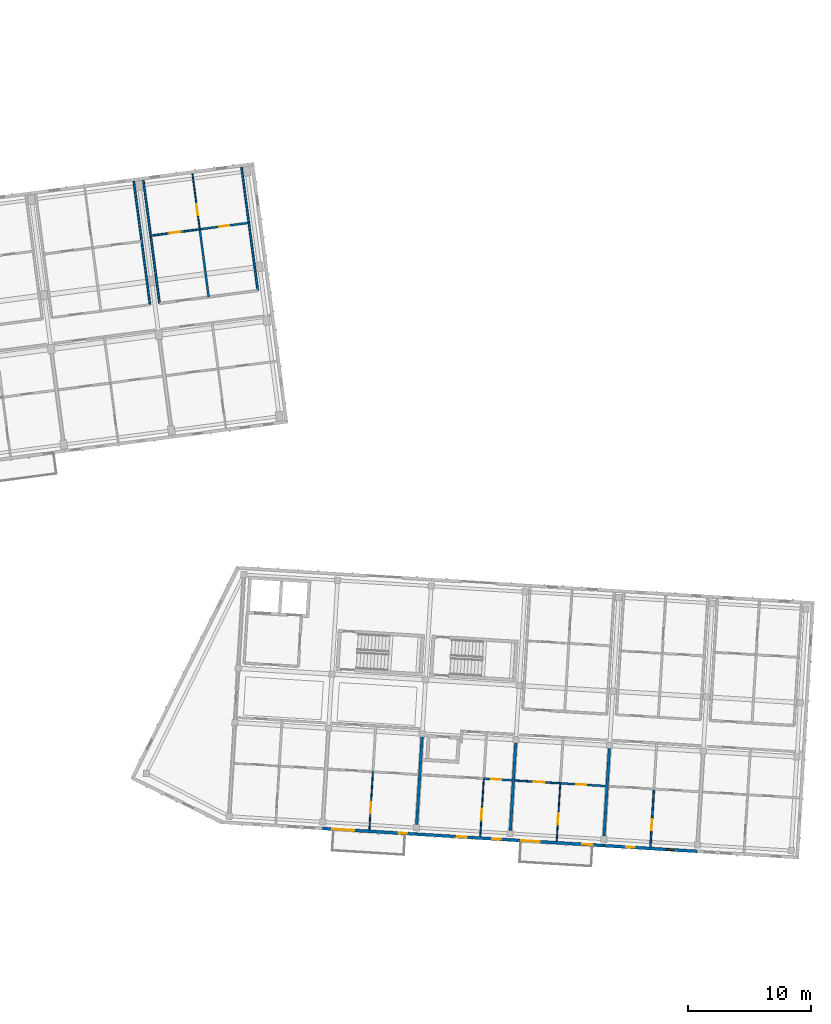
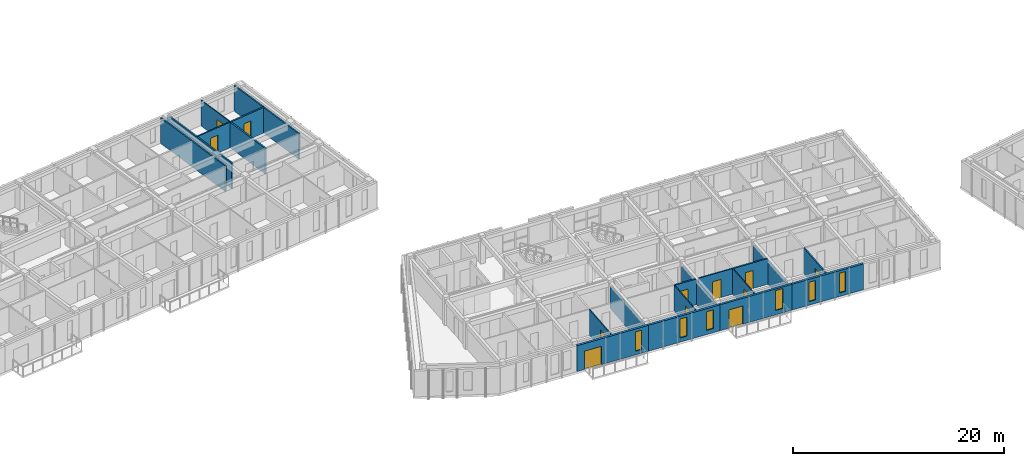
# One storey, part 25 of 68: 21 walls, 12 doors, 6 windows, 18 openings.
"""IFC4 building model written with IfcOpenShell, lengths in metres."""

from ifc_helpers import new_model, si_unit, direction, frame, frame_2d, origin, place, context, subcontext, project, spatial, rectangle, extrude, material, layer, layer_set, type_object, element, fill, save


model = new_model("IFC4")

# Units and contexts
model_context = context("Model", 3, precision=1e-05, world=origin(), true_north=direction((0.0, 1.0)))
body_context = subcontext(model_context, "Body", "Model", "MODEL_VIEW")
ifc_project = project(units=[si_unit("LENGTHUNIT", "METRE"), si_unit("AREAUNIT", "SQUARE_METRE"), si_unit("VOLUMEUNIT", "CUBIC_METRE"), si_unit("PLANEANGLEUNIT", "RADIAN"), si_unit("MASSUNIT", "GRAM", prefix="KILO")], contexts=[model_context])

# Site, building, storey
site_placement = place(None, origin())
site = spatial("IfcSite", under=ifc_project, at=site_placement, CompositionType="ELEMENT")
building_placement = place(site_placement, origin())
building = spatial("IfcBuilding", under=site, at=building_placement, Name="Kestramere Prow Commons", CompositionType="ELEMENT")
storey_placement = place(building_placement, frame((0.0, 0.0, 18.14990234375)))
storey = spatial("IfcBuildingStorey", under=building, at=storey_placement, Name="L05", CompositionType="ELEMENT", Elevation=18.14990234375)

# Wall, openings, door, window
ifc_material_1 = material(Name="Fluoropolymer Standing-Seam Zinc-Aluminium Cladding", Category="aluminium")
ifc_layer_1 = layer(ifc_material_1, 0.239990234375)
ifc_layer_set_1 = layer_set([ifc_layer_1], Name="Fluoropolymer Standing-Seam Zinc-Aluminium Cladding")
wall_type_1 = type_object("IfcWallType", Name="EW-SEAM-240", PredefinedType="SOLIDWALL", material=ifc_layer_set_1)
wall_1_placement = place(storey_placement, frame((74.6396484375, 45.048095703125, 0.0), z_axis=(0.0, 0.0, 1.0), x_axis=(-0.998135669243, 0.061034300063, 0.0)))
wall_1 = element("IfcWall", 1, at=wall_1_placement, inside=storey, type_object=wall_type_1, Name="Block C L05 South Standing-Seam Wall 2", PredefinedType="SOLIDWALL", context=body_context, shape_type="SweptSolid", body=[
    extrude(rectangle(XDim=7.60009765625, YDim=0.239990234375, at=frame_2d((3.800048828125, 0.0))), origin(), (0.0, 0.0, 1.0), 3.0),
])
opening_1_placement = place(wall_1_placement, frame((5.01904296875, 0.0, 0.0)))
opening_1 = element("IfcOpeningElement", 2, at=opening_1_placement, cuts=wall_1, Name="Opening GD-BAL-02", PredefinedType="OPENING", context=body_context, shape_type="SweptSolid", body=[
    extrude(rectangle(XDim=1.800048828125, YDim=2.1201171875, at=frame_2d((0.89990234375, 1.06005859375))), frame((0.0, 0.135009765625, 0.0), z_axis=(0.0, -1.0, 0.0), x_axis=(1.0, 0.0, 0.0)), (0.0, 0.0, 1.0), 0.27001953125),
])
opening_2_placement = place(wall_1_placement, frame((0.72998046875, 0.0, 0.419921875)))
opening_2 = element("IfcOpeningElement", 3, at=opening_2_placement, cuts=wall_1, Name="Opening WN-06", PredefinedType="OPENING", context=body_context, shape_type="SweptSolid", body=[
    extrude(rectangle(XDim=0.679931640625, YDim=2.239990234375, at=frame_2d((0.33984375, 1.1201171875))), frame((0.0, 0.135009765625, 0.0), z_axis=(0.0, -1.0, 0.0), x_axis=(1.0, 0.0, 0.0)), (0.0, 0.0, 1.0), 0.27001953125),
])
ifc_material_2 = material(Name="Thermally-Broken Anodised Aluminium Glazed", Category="aluminium")
door_type_1 = type_object("IfcDoorType", Name="GD-BAL-1800", OperationType="SLIDING_TO_LEFT", PredefinedType="DOOR", material=ifc_material_2)
door_1_placement = place(opening_1_placement, origin())
door_1 = element("IfcDoor", 4, at=door_1_placement, inside=storey, type_object=door_type_1, Name="Block C L05 Balcony Door 2", OperationType="SLIDING_TO_LEFT", OverallHeight=2.1201171875, OverallWidth=1.800048828125, PredefinedType="DOOR", context=body_context, shape_type="SweptSolid", body=[
    extrude(rectangle(XDim=1.800048828125, YDim=2.1201171875, at=frame_2d((0.89990234375, 1.06005859375))), frame((0.0, 0.02490234375, 0.0), z_axis=(0.0, -1.0, 0.0), x_axis=(1.0, 0.0, 0.0)), (0.0, 0.0, 1.0), 0.050048828125),
])
fill(opening_1, door_1)
ifc_material_3 = material(Name="Low-E Laminated Double Glazing", Category="glass")
window_type_1 = type_object("IfcWindowType", Name="WN-NAR-680A", PartitioningType="SINGLE_PANEL", PredefinedType="WINDOW", material=ifc_material_3)
window_1_placement = place(opening_2_placement, origin())
window_1 = element("IfcWindow", 5, at=window_1_placement, inside=storey, type_object=window_type_1, Name="WN-C-L05-SR-1", OverallHeight=2.239990234375, OverallWidth=0.679931640625, PartitioningType="SINGLE_PANEL", PredefinedType="WINDOW", context=body_context, shape_type="SweptSolid", body=[
    extrude(rectangle(XDim=0.679931640625, YDim=2.239990234375, at=frame_2d((0.33984375, 1.1201171875))), frame((0.0, 0.030029296875, 0.0), z_axis=(0.0, -1.0, 0.0), x_axis=(1.0, 0.0, 0.0)), (0.0, 0.0, 1.0), 0.06005859375),
])
fill(opening_2, window_1)

# Wall, openings, windows
wall_2_placement = place(storey_placement, frame((82.225341796875, 44.583984375, 0.0), z_axis=(0.0, 0.0, 1.0), x_axis=(-0.998133591969, 0.061068261669, 0.0)))
wall_2 = element("IfcWall", 6, at=wall_2_placement, inside=storey, type_object=wall_type_1, Name="Block C L05 South Standing-Seam Wall 3", PredefinedType="SOLIDWALL", context=body_context, shape_type="SweptSolid", body=[
    extrude(rectangle(XDim=7.599853515625, YDim=0.239990234375, at=frame_2d((3.7998046875, 0.0))), origin(), (0.0, 0.0, 1.0), 3.0),
])
opening_3_placement = place(wall_2_placement, frame((0.709716796875, 0.0, 0.47998046875)))
opening_3 = element("IfcOpeningElement", 7, at=opening_3_placement, cuts=wall_2, Name="Opening WN-08", PredefinedType="OPENING", context=body_context, shape_type="SweptSolid", body=[
    extrude(rectangle(XDim=0.719970703125, YDim=2.159912109375, at=frame_2d((0.35986328125, 1.080078125))), frame((0.0, 0.135009765625, 0.0), z_axis=(0.0, -1.0, 0.0), x_axis=(1.0, 0.0, 0.0)), (0.0, 0.0, 1.0), 0.27001953125),
])
opening_4_placement = place(wall_2_placement, frame((3.503662109375, 0.0, 0.47998046875)))
opening_4 = element("IfcOpeningElement", 8, at=opening_4_placement, cuts=wall_2, Name="Opening WN-11", PredefinedType="OPENING", context=body_context, shape_type="SweptSolid", body=[
    extrude(rectangle(XDim=0.780029296875, YDim=2.199951171875, at=frame_2d((0.39013671875, 1.10009765625))), frame((0.0, 0.135009765625, 0.0), z_axis=(0.0, -1.0, 0.0), x_axis=(1.0, 0.0, 0.0)), (0.0, 0.0, 1.0), 0.27001953125),
])
window_type_2 = type_object("IfcWindowType", Name="WN-NAR-720A", PartitioningType="SINGLE_PANEL", PredefinedType="WINDOW", material=ifc_material_3)
window_2_placement = place(opening_3_placement, origin())
window_2 = element("IfcWindow", 9, at=window_2_placement, inside=storey, type_object=window_type_2, Name="WN-C-L05-S-2-00", OverallHeight=2.159912109375, OverallWidth=0.719970703125, PartitioningType="SINGLE_PANEL", PredefinedType="WINDOW", context=body_context, shape_type="SweptSolid", body=[
    extrude(rectangle(XDim=0.719970703125, YDim=2.159912109375, at=frame_2d((0.35986328125, 1.080078125))), frame((0.0, 0.030029296875, 0.0), z_axis=(0.0, -1.0, 0.0), x_axis=(1.0, 0.0, 0.0)), (0.0, 0.0, 1.0), 0.06005859375),
])
fill(opening_3, window_2)
window_type_3 = type_object("IfcWindowType", Name="WN-NAR-780A", PartitioningType="SINGLE_PANEL", PredefinedType="WINDOW", material=ifc_material_3)
window_3_placement = place(opening_4_placement, origin())
window_3 = element("IfcWindow", 10, at=window_3_placement, inside=storey, type_object=window_type_3, Name="WN-C-L05-S-2-10", OverallHeight=2.199951171875, OverallWidth=0.780029296875, PartitioningType="SINGLE_PANEL", PredefinedType="WINDOW", context=body_context, shape_type="SweptSolid", body=[
    extrude(rectangle(XDim=0.780029296875, YDim=2.199951171875, at=frame_2d((0.39013671875, 1.10009765625))), frame((0.0, 0.030029296875, 0.0), z_axis=(0.0, -1.0, 0.0), x_axis=(1.0, 0.0, 0.0)), (0.0, 0.0, 1.0), 0.06005859375),
])
fill(opening_4, window_3)

# Wall, openings, door, window
wall_3_placement = place(storey_placement, frame((89.811279296875, 44.1201171875, 0.0), z_axis=(0.0, 0.0, 1.0), x_axis=(-0.998135669243, 0.061034300063, 0.0)))
wall_3 = element("IfcWall", 11, at=wall_3_placement, inside=storey, type_object=wall_type_1, Name="Block C L05 South Standing-Seam Wall 4", PredefinedType="SOLIDWALL", context=body_context, shape_type="SweptSolid", body=[
    extrude(rectangle(XDim=7.60009765625, YDim=0.239990234375, at=frame_2d((3.800048828125, 0.0))), origin(), (0.0, 0.0, 1.0), 3.0),
])
opening_5_placement = place(wall_3_placement, frame((5.1689453125, 0.0, 0.0)))
opening_5 = element("IfcOpeningElement", 12, at=opening_5_placement, cuts=wall_3, Name="Opening GD-BAL-01", PredefinedType="OPENING", context=body_context, shape_type="SweptSolid", body=[
    extrude(rectangle(XDim=1.5, YDim=2.1201171875, at=frame_2d((0.75, 1.06005859375))), frame((0.0, 0.135009765625, 0.0), z_axis=(0.0, -1.0, 0.0), x_axis=(1.0, 0.0, 0.0)), (0.0, 0.0, 1.0), 0.27001953125),
])
opening_6_placement = place(wall_3_placement, frame((0.929931640625, 0.0, 0.5)))
opening_6 = element("IfcOpeningElement", 13, at=opening_6_placement, cuts=wall_3, Name="Opening WN-12", PredefinedType="OPENING", context=body_context, shape_type="SweptSolid", body=[
    extrude(rectangle(XDim=0.800048828125, YDim=2.300048828125, at=frame_2d((0.39990234375, 1.14990234375))), frame((0.0, 0.135009765625, 0.0), z_axis=(0.0, -1.0, 0.0), x_axis=(1.0, 0.0, 0.0)), (0.0, 0.0, 1.0), 0.27001953125),
])
door_type_2 = type_object("IfcDoorType", Name="GD-BAL-1500", OperationType="SLIDING_TO_RIGHT", PredefinedType="DOOR", material=ifc_material_2)
door_2_placement = place(opening_5_placement, origin())
door_2 = element("IfcDoor", 14, at=door_2_placement, inside=storey, type_object=door_type_2, Name="Block C L05 Balcony Door 4", OperationType="SLIDING_TO_RIGHT", OverallHeight=2.1201171875, OverallWidth=1.5, PredefinedType="DOOR", context=body_context, shape_type="SweptSolid", body=[
    extrude(rectangle(XDim=1.5, YDim=2.1201171875, at=frame_2d((0.75, 1.06005859375))), frame((0.0, 0.02490234375, 0.0), z_axis=(0.0, -1.0, 0.0), x_axis=(1.0, 0.0, 0.0)), (0.0, 0.0, 1.0), 0.050048828125),
])
fill(opening_5, door_2)
window_type_4 = type_object("IfcWindowType", Name="WN-NAR-800A", PartitioningType="SINGLE_PANEL", PredefinedType="WINDOW", material=ifc_material_3)
window_4_placement = place(opening_6_placement, origin())
window_4 = element("IfcWindow", 15, at=window_4_placement, inside=storey, type_object=window_type_4, Name="WN-C-L05-SR-3", OverallHeight=2.300048828125, OverallWidth=0.800048828125, PartitioningType="SINGLE_PANEL", PredefinedType="WINDOW", context=body_context, shape_type="SweptSolid", body=[
    extrude(rectangle(XDim=0.800048828125, YDim=2.300048828125, at=frame_2d((0.39990234375, 1.14990234375))), frame((0.0, 0.030029296875, 0.0), z_axis=(0.0, -1.0, 0.0), x_axis=(1.0, 0.0, 0.0)), (0.0, 0.0, 1.0), 0.06005859375),
])
fill(opening_6, window_4)

# Wall, openings, windows
wall_4_placement = place(storey_placement, frame((97.39697265625, 43.65625, 0.0), z_axis=(0.0, 0.0, 1.0), x_axis=(-0.998135549572, 0.061036257095, 0.0)))
wall_4 = element("IfcWall", 16, at=wall_4_placement, inside=storey, type_object=wall_type_1, Name="Block C L05 South Standing-Seam Wall 5", PredefinedType="SOLIDWALL", context=body_context, shape_type="SweptSolid", body=[
    extrude(rectangle(XDim=7.599853515625, YDim=0.239990234375, at=frame_2d((3.7998046875, 0.0))), origin(), (0.0, 0.0, 1.0), 3.0),
])
opening_7_placement = place(wall_4_placement, frame((1.896484375, 0.0, 0.419921875)))
opening_7 = element("IfcOpeningElement", 17, at=opening_7_placement, cuts=wall_4, Name="Opening WN-03", PredefinedType="OPENING", context=body_context, shape_type="SweptSolid", body=[
    extrude(rectangle(XDim=0.6201171875, YDim=2.280029296875, at=frame_2d((0.31005859375, 1.14013671875))), frame((0.0, 0.135009765625, 0.0), z_axis=(0.0, -1.0, 0.0), x_axis=(1.0, 0.0, 0.0)), (0.0, 0.0, 1.0), 0.27001953125),
])
opening_8_placement = place(wall_4_placement, frame((5.07275390625, 0.0, 0.419921875)))
opening_8 = element("IfcOpeningElement", 18, at=opening_8_placement, cuts=wall_4, Name="Opening WN-06", PredefinedType="OPENING", context=body_context, shape_type="SweptSolid", body=[
    extrude(rectangle(XDim=0.679931640625, YDim=2.239990234375, at=frame_2d((0.33984375, 1.1201171875))), frame((0.0, 0.135009765625, 0.0), z_axis=(0.0, -1.0, 0.0), x_axis=(1.0, 0.0, 0.0)), (0.0, 0.0, 1.0), 0.27001953125),
])
window_type_5 = type_object("IfcWindowType", Name="WN-NAR-620A", PartitioningType="SINGLE_PANEL", PredefinedType="WINDOW", material=ifc_material_3)
window_5_placement = place(opening_7_placement, origin())
window_5 = element("IfcWindow", 19, at=window_5_placement, inside=storey, type_object=window_type_5, Name="WN-C-L05-S-4-00", OverallHeight=2.280029296875, OverallWidth=0.6201171875, PartitioningType="SINGLE_PANEL", PredefinedType="WINDOW", context=body_context, shape_type="SweptSolid", body=[
    extrude(rectangle(XDim=0.6201171875, YDim=2.280029296875, at=frame_2d((0.31005859375, 1.14013671875))), frame((0.0, 0.030029296875, 0.0), z_axis=(0.0, -1.0, 0.0), x_axis=(1.0, 0.0, 0.0)), (0.0, 0.0, 1.0), 0.06005859375),
])
fill(opening_7, window_5)
window_6_placement = place(opening_8_placement, origin())
window_6 = element("IfcWindow", 20, at=window_6_placement, inside=storey, type_object=window_type_1, Name="WN-C-L05-S-4-10", OverallHeight=2.239990234375, OverallWidth=0.679931640625, PartitioningType="SINGLE_PANEL", PredefinedType="WINDOW", context=body_context, shape_type="SweptSolid", body=[
    extrude(rectangle(XDim=0.679931640625, YDim=2.239990234375, at=frame_2d((0.33984375, 1.1201171875))), frame((0.0, 0.030029296875, 0.0), z_axis=(0.0, -1.0, 0.0), x_axis=(1.0, 0.0, 0.0)), (0.0, 0.0, 1.0), 0.06005859375),
])
fill(opening_8, window_6)

# Wall, opening, door
ifc_material_4 = material(Name="Gypsum Acoustic Drywall")
ifc_layer_2 = layer(ifc_material_4, 0.10009765625)
ifc_layer_set_2 = layer_set([ifc_layer_2], Name="Gypsum Acoustic Drywall")
wall_type_2 = type_object("IfcWallType", Name="W-PART-100", PredefinedType="PARTITIONING", material=ifc_layer_set_2)
wall_5_placement = place(storey_placement, frame((57.1171875, 94.031982421875, 0.0), z_axis=(0.0, 0.0, 1.0), x_axis=(-0.130571364795, 0.991438913245, 0.0)))
wall_5 = element("IfcWall", 21, at=wall_5_placement, inside=storey, type_object=wall_type_2, Name="Interior Partition PW-A-L05-LB-N5", PredefinedType="PARTITIONING", context=body_context, shape_type="SweptSolid", body=[
    extrude(rectangle(XDim=4.539794921875, YDim=0.10009765625, at=frame_2d((2.27001953125, 0.0))), origin(), (0.0, 0.0, 1.0), 2.97021484375),
])
opening_9_placement = place(wall_5_placement, frame((1.14990234375, 0.0, 0.0)))
opening_9 = element("IfcOpeningElement", 22, at=opening_9_placement, cuts=wall_5, Name="Opening ID-10", PredefinedType="OPENING", context=body_context, shape_type="SweptSolid", body=[
    extrude(rectangle(XDim=0.8798828125, YDim=2.10009765625, at=frame_2d((0.43994140625, 1.050048828125))), frame((0.0, 0.06494140625, 0.0), z_axis=(0.0, -1.0, 0.0), x_axis=(1.0, 0.0, 0.0)), (0.0, 0.0, 1.0), 0.130126953125),
])
ifc_material_5 = material(Name="Engineered Timber Bedroom Door", Category="wood")
door_type_3 = type_object("IfcDoorType", Name="D-RM-03", OperationType="NOTDEFINED", PredefinedType="DOOR", material=ifc_material_5)
door_3_placement = place(opening_9_placement, origin())
door_3 = element("IfcDoor", 23, at=door_3_placement, inside=storey, type_object=door_type_3, Name="Interior Door DR-A-L05-BED-N5", OperationType="SINGLE_SWING_LEFT", OverallHeight=2.10009765625, OverallWidth=0.8798828125, PredefinedType="DOOR", context=body_context, shape_type="SweptSolid", body=[
    extrude(rectangle(XDim=0.8798828125, YDim=2.10009765625, at=frame_2d((0.43994140625, 1.050048828125))), frame((0.0, 0.02490234375, 0.0), z_axis=(0.0, -1.0, 0.0), x_axis=(1.0, 0.0, 0.0)), (0.0, 0.0, 1.0), 0.050048828125),
])
fill(opening_9, door_3)

wall_6_placement = place(storey_placement, frame((70.85498046875, 45.414794921875, 0.0), z_axis=(0.0, 0.0, 1.0), x_axis=(0.061062434628, 0.998133948465, 0.0)))
wall_6 = element("IfcWall", 24, at=wall_6_placement, inside=storey, type_object=wall_type_2, Name="Interior Partition PW-C-L05-LB-S1", PredefinedType="PARTITIONING", context=body_context, shape_type="SweptSolid", body=[
    extrude(rectangle(XDim=4.68994140625, YDim=0.10009765625, at=frame_2d((2.344970703125, 0.0))), origin(), (0.0, 0.0, 1.0), 2.97021484375),
])
opening_10_placement = place(wall_6_placement, frame((1.35009765625, 0.0, 0.0)))
opening_10 = element("IfcOpeningElement", 25, at=opening_10_placement, cuts=wall_6, Name="Opening ID-10", PredefinedType="OPENING", context=body_context, shape_type="SweptSolid", body=[
    extrude(rectangle(XDim=0.8798828125, YDim=2.10009765625, at=frame_2d((0.43994140625, 1.050048828125))), frame((0.0, 0.06494140625, 0.0), z_axis=(0.0, -1.0, 0.0), x_axis=(1.0, 0.0, 0.0)), (0.0, 0.0, 1.0), 0.130126953125),
])
door_4_placement = place(opening_10_placement, origin())
door_4 = element("IfcDoor", 26, at=door_4_placement, inside=storey, type_object=door_type_3, Name="Interior Door DR-C-L05-BED-S1", OperationType="SINGLE_SWING_RIGHT", OverallHeight=2.10009765625, OverallWidth=0.8798828125, PredefinedType="DOOR", context=body_context, shape_type="SweptSolid", body=[
    extrude(rectangle(XDim=0.8798828125, YDim=2.10009765625, at=frame_2d((0.43994140625, 1.050048828125))), frame((0.0, 0.02490234375, 0.0), z_axis=(0.0, -1.0, 0.0), x_axis=(1.0, 0.0, 0.0)), (0.0, 0.0, 1.0), 0.050048828125),
])
fill(opening_10, door_4)

wall_7_placement = place(storey_placement, frame((79.833251953125, 44.86572265625, 0.0), z_axis=(0.0, 0.0, 1.0), x_axis=(0.061010571843, 0.998137119901, 0.0)))
wall_7 = element("IfcWall", 27, at=wall_7_placement, inside=storey, type_object=wall_type_2, Name="Interior Partition PW-C-L05-LB-S2", PredefinedType="PARTITIONING", context=body_context, shape_type="SweptSolid", body=[
    extrude(rectangle(XDim=4.68994140625, YDim=0.10009765625, at=frame_2d((2.344970703125, 0.0))), origin(), (0.0, 0.0, 1.0), 2.97021484375),
])
opening_11_placement = place(wall_7_placement, frame((1.35009765625, 0.0, 0.0)))
opening_11 = element("IfcOpeningElement", 28, at=opening_11_placement, cuts=wall_7, Name="Opening ID-10", PredefinedType="OPENING", context=body_context, shape_type="SweptSolid", body=[
    extrude(rectangle(XDim=0.8798828125, YDim=2.10009765625, at=frame_2d((0.43994140625, 1.050048828125))), frame((0.0, 0.06494140625, 0.0), z_axis=(0.0, -1.0, 0.0), x_axis=(1.0, 0.0, 0.0)), (0.0, 0.0, 1.0), 0.130126953125),
])
door_5_placement = place(opening_11_placement, origin())
door_5 = element("IfcDoor", 29, at=door_5_placement, inside=storey, type_object=door_type_3, Name="Interior Door DR-C-L05-BED-S2", OperationType="SINGLE_SWING_LEFT", OverallHeight=2.10009765625, OverallWidth=0.8798828125, PredefinedType="DOOR", context=body_context, shape_type="SweptSolid", body=[
    extrude(rectangle(XDim=0.8798828125, YDim=2.10009765625, at=frame_2d((0.43994140625, 1.050048828125))), frame((0.0, 0.02490234375, 0.0), z_axis=(0.0, -1.0, 0.0), x_axis=(1.0, 0.0, 0.0)), (0.0, 0.0, 1.0), 0.050048828125),
])
fill(opening_11, door_5)

ifc_material_6 = material(Name="Lightweight Blockwork and Plaster", Category="masonry")
ifc_layer_3 = layer(ifc_material_6, 0.1298828125)
ifc_layer_set_3 = layer_set([ifc_layer_3], Name="Lightweight Blockwork and Plaster")
wall_type_3 = type_object("IfcWallType", Name="W-PART-130", PredefinedType="PARTITIONING", material=ifc_layer_set_3)
wall_8_placement = place(storey_placement, frame((82.634765625, 49.39306640625, 0.0), z_axis=(0.0, 0.0, 1.0), x_axis=(0.998132682596, -0.061083123148, 0.0)))
wall_8 = element("IfcWall", 30, at=wall_8_placement, inside=storey, type_object=wall_type_3, Name="Interior Partition PW-C-L05-MIDS1-3", PredefinedType="PARTITIONING", context=body_context, shape_type="SweptSolid", body=[
    extrude(rectangle(XDim=3.68505859375, YDim=0.1298828125, at=frame_2d((1.842529296875, 0.0))), origin(), (0.0, 0.0, 1.0), 2.97021484375),
])
opening_12_placement = place(wall_8_placement, frame((1.52490234375, 0.0, 0.0)))
opening_12 = element("IfcOpeningElement", 31, at=opening_12_placement, cuts=wall_8, Name="Opening ID-10", PredefinedType="OPENING", context=body_context, shape_type="SweptSolid", body=[
    extrude(rectangle(XDim=0.8798828125, YDim=2.10009765625, at=frame_2d((0.43994140625, 1.050048828125))), frame((0.0, 0.079833984375, 0.0), z_axis=(0.0, -1.0, 0.0), x_axis=(1.0, 0.0, 0.0)), (0.0, 0.0, 1.0), 0.159912109375),
])
door_6_placement = place(opening_12_placement, origin())
door_6 = element("IfcDoor", 32, at=door_6_placement, inside=storey, type_object=door_type_3, Name="Interior Door DR-C-L05-KL-S3", OperationType="SINGLE_SWING_RIGHT", OverallHeight=2.10009765625, OverallWidth=0.8798828125, PredefinedType="DOOR", context=body_context, shape_type="SweptSolid", body=[
    extrude(rectangle(XDim=0.8798828125, YDim=2.10009765625, at=frame_2d((0.43994140625, 1.050048828125))), frame((0.0, 0.02490234375, 0.0), z_axis=(0.0, -1.0, 0.0), x_axis=(1.0, 0.0, 0.0)), (0.0, 0.0, 1.0), 0.050048828125),
])
fill(opening_12, door_6)

ifc_material_7 = material(Name="Masonry Compartment Wall", Category="masonry")
ifc_layer_4 = layer(ifc_material_7, 0.139892578125)
ifc_layer_set_4 = layer_set([ifc_layer_4], Name="Masonry Compartment Wall")
wall_type_4 = type_object("IfcWallType", Name="W-PART-140", PredefinedType="PARTITIONING", material=ifc_layer_set_4)
wall_9_placement = place(storey_placement, frame((53.141357421875, 93.508544921875, 0.0), z_axis=(0.0, 0.0, 1.0), x_axis=(0.991444553502, 0.130528530716, 0.0)))
wall_9 = element("IfcWall", 33, at=wall_9_placement, inside=storey, type_object=wall_type_4, Name="Interior Partition PW-A-L05-MIDN1-5", PredefinedType="PARTITIONING", context=body_context, shape_type="SweptSolid", body=[
    extrude(rectangle(XDim=4.01025390625, YDim=0.139892578125, at=frame_2d((2.005126953125, 0.0))), origin(), (0.0, 0.0, 1.0), 2.97021484375),
])
opening_13_placement = place(wall_9_placement, frame((1.554931640625, 0.0, 0.0)))
opening_13 = element("IfcOpeningElement", 34, at=opening_13_placement, cuts=wall_9, Name="Opening ID-08", PredefinedType="OPENING", context=body_context, shape_type="SweptSolid", body=[
    extrude(rectangle(XDim=0.89990234375, YDim=2.10009765625, at=frame_2d((0.449951171875, 1.050048828125))), frame((0.0, 0.0849609375, 0.0), z_axis=(0.0, -1.0, 0.0), x_axis=(1.0, 0.0, 0.0)), (0.0, 0.0, 1.0), 0.169921875),
])
ifc_material_8 = material(Name="Engineered Timber Flush Door", Category="wood")
door_type_4 = type_object("IfcDoorType", Name="D-RM-01", OperationType="NOTDEFINED", PredefinedType="DOOR", material=ifc_material_8)
door_7_placement = place(opening_13_placement, origin())
door_7 = element("IfcDoor", 35, at=door_7_placement, inside=storey, type_object=door_type_4, Name="Interior Door DR-A-L05-KL-N5", OperationType="SINGLE_SWING_LEFT", OverallHeight=2.10009765625, OverallWidth=0.89990234375, PredefinedType="DOOR", context=body_context, shape_type="SweptSolid", body=[
    extrude(rectangle(XDim=0.89990234375, YDim=2.10009765625, at=frame_2d((0.449951171875, 1.050048828125))), frame((0.0, 0.02490234375, 0.0), z_axis=(0.0, -1.0, 0.0), x_axis=(1.0, 0.0, 0.0)), (0.0, 0.0, 1.0), 0.050048828125),
])
fill(opening_13, door_7)

wall_10_placement = place(storey_placement, frame((93.6123046875, 44.02294921875, 0.0), z_axis=(0.0, 0.0, 1.0), x_axis=(0.061062434628, 0.998133948465, 0.0)))
wall_10 = element("IfcWall", 36, at=wall_10_placement, inside=storey, type_object=wall_type_4, Name="Interior Partition PW-C-L05-LB-S4", PredefinedType="PARTITIONING", context=body_context, shape_type="SweptSolid", body=[
    extrude(rectangle(XDim=4.68994140625, YDim=0.139892578125, at=frame_2d((2.344970703125, 0.0))), origin(), (0.0, 0.0, 1.0), 2.97021484375),
])
opening_14_placement = place(wall_10_placement, frame((1.35009765625, 0.0, 0.0)))
opening_14 = element("IfcOpeningElement", 37, at=opening_14_placement, cuts=wall_10, Name="Opening ID-08", PredefinedType="OPENING", context=body_context, shape_type="SweptSolid", body=[
    extrude(rectangle(XDim=0.89990234375, YDim=2.10009765625, at=frame_2d((0.449951171875, 1.050048828125))), frame((0.0, 0.0849609375, 0.0), z_axis=(0.0, -1.0, 0.0), x_axis=(1.0, 0.0, 0.0)), (0.0, 0.0, 1.0), 0.169921875),
])
door_8_placement = place(opening_14_placement, origin())
door_8 = element("IfcDoor", 38, at=door_8_placement, inside=storey, type_object=door_type_4, Name="Interior Door DR-C-L05-BED-S4", OperationType="SINGLE_SWING_LEFT", OverallHeight=2.10009765625, OverallWidth=0.89990234375, PredefinedType="DOOR", context=body_context, shape_type="SweptSolid", body=[
    extrude(rectangle(XDim=0.89990234375, YDim=2.10009765625, at=frame_2d((0.449951171875, 1.050048828125))), frame((0.0, 0.02490234375, 0.0), z_axis=(0.0, -1.0, 0.0), x_axis=(1.0, 0.0, 0.0)), (0.0, 0.0, 1.0), 0.050048828125),
])
fill(opening_14, door_8)

# Walls
ifc_layer_5 = layer(ifc_material_7, 0.14990234375)
ifc_layer_set_5 = layer_set([ifc_layer_5], Name="Masonry Compartment Wall")
wall_type_5 = type_object("IfcWallType", Name="W-PART-150", PredefinedType="PARTITIONING", material=ifc_layer_set_5)
for number, where, z_axis, x_axis, name in (
    (39, (53.08984375, 87.924072265625, 0.0), (0.0, 0.0, 1.0), (-0.130534161944, 0.991443812107, 0.0), "Interior Partition PW-A-L05-NWR-4"),
    (40, (53.86328125, 88.02587890625, 0.0), (0.0, 0.0, 1.0), (-0.130534161944, 0.991443812107, 0.0), "Interior Partition PW-A-L05-NWL-5"),
):
    element("IfcWall", number, at=place(storey_placement, frame(where, z_axis=z_axis, x_axis=x_axis)), inside=storey, type_object=wall_type_5, Name=name, PredefinedType="PARTITIONING", context=body_context, shape_type="SweptSolid", body=[
        extrude(rectangle(XDim=10.06982421875, YDim=0.14990234375, at=frame_2d((5.034912109375, 0.0))), origin(), (0.0, 0.0, 1.0), 2.97021484375),
    ])
wall_11_placement = place(storey_placement, frame((61.814697265625, 89.072509765625, 0.0), z_axis=(0.0, 0.0, 1.0), x_axis=(-0.130531024319, 0.991444225204, 0.0)))
element("IfcWall", 41, at=wall_11_placement, inside=storey, type_object=wall_type_5, Name="Interior Partition PW-A-L05-NWR-5", PredefinedType="PARTITIONING", context=body_context, shape_type="SweptSolid", body=[
    extrude(rectangle(XDim=10.070068359375, YDim=0.14990234375, at=frame_2d((5.03515625, 0.0))), origin(), (0.0, 0.0, 1.0), 2.97021484375),
])

# Wall, opening, door
ifc_layer_6 = layer(ifc_material_4, 0.094970703125)
ifc_layer_set_6 = layer_set([ifc_layer_6], Name="Gypsum Acoustic Drywall")
wall_type_6 = type_object("IfcWallType", Name="W-PART-95", PredefinedType="PARTITIONING", material=ifc_layer_set_6)
wall_12_placement = place(storey_placement, frame((86.026611328125, 44.48681640625, 0.0), z_axis=(0.0, 0.0, 1.0), x_axis=(0.061062434628, 0.998133948465, 0.0)))
wall_12 = element("IfcWall", 42, at=wall_12_placement, inside=storey, type_object=wall_type_6, Name="Interior Partition PW-C-L05-LB-S3", PredefinedType="PARTITIONING", context=body_context, shape_type="SweptSolid", body=[
    extrude(rectangle(XDim=4.68994140625, YDim=0.094970703125, at=frame_2d((2.344970703125, 0.0))), origin(), (0.0, 0.0, 1.0), 2.97021484375),
])
opening_15_placement = place(wall_12_placement, frame((1.35009765625, 0.0, 0.0)))
opening_15 = element("IfcOpeningElement", 43, at=opening_15_placement, cuts=wall_12, Name="Opening ID-08", PredefinedType="OPENING", context=body_context, shape_type="SweptSolid", body=[
    extrude(rectangle(XDim=0.89990234375, YDim=2.10009765625, at=frame_2d((0.449951171875, 1.050048828125))), frame((0.0, 0.0625, 0.0), z_axis=(0.0, -1.0, 0.0), x_axis=(1.0, 0.0, 0.0)), (0.0, 0.0, 1.0), 0.125),
])
door_9_placement = place(opening_15_placement, origin())
door_9 = element("IfcDoor", 44, at=door_9_placement, inside=storey, type_object=door_type_4, Name="Interior Door DR-C-L05-BED-S3", OperationType="SINGLE_SWING_RIGHT", OverallHeight=2.10009765625, OverallWidth=0.89990234375, PredefinedType="DOOR", context=body_context, shape_type="SweptSolid", body=[
    extrude(rectangle(XDim=0.89990234375, YDim=2.10009765625, at=frame_2d((0.449951171875, 1.050048828125))), frame((0.0, 0.02490234375, 0.0), z_axis=(0.0, -1.0, 0.0), x_axis=(1.0, 0.0, 0.0)), (0.0, 0.0, 1.0), 0.050048828125),
])
fill(opening_15, door_9)

ifc_material_9 = material(Name="Waterproof Sanitary Masonry Wall", Category="masonry")
ifc_layer_7 = layer(ifc_material_9, 0.1650390625)
ifc_layer_set_7 = layer_set([ifc_layer_7], Name="Waterproof Sanitary Masonry Wall")
wall_type_7 = type_object("IfcWallType", Name="W-PLUMB-150", PredefinedType="PLUMBINGWALL", material=ifc_layer_set_7)
wall_13_placement = place(storey_placement, frame((57.1171875, 94.031982421875, 0.0), z_axis=(0.0, 0.0, 1.0), x_axis=(0.991451394038, 0.130476562111, 0.0)))
wall_13 = element("IfcWall", 45, at=wall_13_placement, inside=storey, type_object=wall_type_7, Name="Interior Partition PW-A-L05-MIDN2-5", PredefinedType="PLUMBINGWALL", context=body_context, shape_type="SweptSolid", body=[
    extrude(rectangle(XDim=4.009765625, YDim=0.1650390625, at=frame_2d((2.0048828125, 0.0))), origin(), (0.0, 0.0, 1.0), 2.97021484375),
])
opening_16_placement = place(wall_13_placement, frame((1.594970703125, 0.0, 0.0)))
opening_16 = element("IfcOpeningElement", 46, at=opening_16_placement, cuts=wall_13, Name="Opening ID-11", PredefinedType="OPENING", context=body_context, shape_type="SweptSolid", body=[
    extrude(rectangle(XDim=0.820068359375, YDim=2.080078125, at=frame_2d((0.41015625, 1.0400390625))), frame((0.0, 0.097412109375, 0.0), z_axis=(0.0, -1.0, 0.0), x_axis=(1.0, 0.0, 0.0)), (0.0, 0.0, 1.0), 0.195068359375),
])
ifc_material_10 = material(Name="Moisture-Resistant Timber Bathroom Door", Category="wood")
door_type_5 = type_object("IfcDoorType", Name="D-BT-01", OperationType="NOTDEFINED", PredefinedType="DOOR", material=ifc_material_10)
door_10_placement = place(opening_16_placement, origin())
door_10 = element("IfcDoor", 47, at=door_10_placement, inside=storey, type_object=door_type_5, Name="Interior Door DR-A-L05-BTH-N5", OperationType="SINGLE_SWING_RIGHT", OverallHeight=2.080078125, OverallWidth=0.820068359375, PredefinedType="DOOR", context=body_context, shape_type="SweptSolid", body=[
    extrude(rectangle(XDim=0.820068359375, YDim=2.080078125, at=frame_2d((0.41015625, 1.0400390625))), frame((0.0, 0.02490234375, 0.0), z_axis=(0.0, -1.0, 0.0), x_axis=(1.0, 0.0, 0.0)), (0.0, 0.0, 1.0), 0.050048828125),
])
fill(opening_16, door_10)

# Wall
wall_14_placement = place(storey_placement, frame((57.8388671875, 88.549072265625, 0.0), z_axis=(0.0, 0.0, 1.0), x_axis=(-0.130497907928, 0.991448584661, 0.0)))
element("IfcWall", 48, at=wall_14_placement, inside=storey, type_object=wall_type_7, Name="Interior Partition PW-A-L05-KB-N5", PredefinedType="PLUMBINGWALL", context=body_context, shape_type="SweptSolid", body=[
    extrude(rectangle(XDim=5.5302734375, YDim=0.1650390625, at=frame_2d((2.76513671875, 0.0))), origin(), (0.0, 0.0, 1.0), 2.97021484375),
])

# Wall, opening, door
wall_15_placement = place(storey_placement, frame((80.119384765625, 49.546875, 0.0), z_axis=(0.0, 0.0, 1.0), x_axis=(0.99813262565, -0.061084053668, 0.0)))
wall_15 = element("IfcWall", 49, at=wall_15_placement, inside=storey, type_object=wall_type_7, Name="Interior Partition PW-C-L05-MIDS2-2", PredefinedType="PLUMBINGWALL", context=body_context, shape_type="SweptSolid", body=[
    extrude(rectangle(XDim=2.290283203125, YDim=0.1650390625, at=frame_2d((1.14501953125, 0.0))), origin(), (0.0, 0.0, 1.0), 2.97021484375),
])
opening_17_placement = place(wall_15_placement, frame((0.60302734375, 0.0, 0.0)))
opening_17 = element("IfcOpeningElement", 50, at=opening_17_placement, cuts=wall_15, Name="Opening ID-11", PredefinedType="OPENING", context=body_context, shape_type="SweptSolid", body=[
    extrude(rectangle(XDim=0.820068359375, YDim=2.080078125, at=frame_2d((0.41015625, 1.0400390625))), frame((0.0, 0.097412109375, 0.0), z_axis=(0.0, -1.0, 0.0), x_axis=(1.0, 0.0, 0.0)), (0.0, 0.0, 1.0), 0.195068359375),
])
door_11_placement = place(opening_17_placement, origin())
door_11 = element("IfcDoor", 51, at=door_11_placement, inside=storey, type_object=door_type_5, Name="Interior Door DR-C-L05-BTH-S2", OperationType="SINGLE_SWING_LEFT", OverallHeight=2.080078125, OverallWidth=0.820068359375, PredefinedType="DOOR", context=body_context, shape_type="SweptSolid", body=[
    extrude(rectangle(XDim=0.820068359375, YDim=2.080078125, at=frame_2d((0.41015625, 1.0400390625))), frame((0.0, 0.02490234375, 0.0), z_axis=(0.0, -1.0, 0.0), x_axis=(1.0, 0.0, 0.0)), (0.0, 0.0, 1.0), 0.050048828125),
])
fill(opening_17, door_11)

wall_16_placement = place(storey_placement, frame((86.31298828125, 49.16796875, 0.0), z_axis=(0.0, 0.0, 1.0), x_axis=(0.998136472989, -0.061021154439, 0.0)))
wall_16 = element("IfcWall", 52, at=wall_16_placement, inside=storey, type_object=wall_type_7, Name="Interior Partition PW-C-L05-MIDS2-3", PredefinedType="PLUMBINGWALL", context=body_context, shape_type="SweptSolid", body=[
    extrude(rectangle(XDim=3.684814453125, YDim=0.1650390625, at=frame_2d((1.84228515625, 0.0))), origin(), (0.0, 0.0, 1.0), 2.97021484375),
])
opening_18_placement = place(wall_16_placement, frame((1.300048828125, 0.0, 0.0)))
opening_18 = element("IfcOpeningElement", 53, at=opening_18_placement, cuts=wall_16, Name="Opening ID-11", PredefinedType="OPENING", context=body_context, shape_type="SweptSolid", body=[
    extrude(rectangle(XDim=0.820068359375, YDim=2.080078125, at=frame_2d((0.41015625, 1.0400390625))), frame((0.0, 0.097412109375, 0.0), z_axis=(0.0, -1.0, 0.0), x_axis=(1.0, 0.0, 0.0)), (0.0, 0.0, 1.0), 0.195068359375),
])
door_12_placement = place(opening_18_placement, origin())
door_12 = element("IfcDoor", 54, at=door_12_placement, inside=storey, type_object=door_type_5, Name="Interior Door DR-C-L05-BTH-S3", OperationType="SINGLE_SWING_LEFT", OverallHeight=2.080078125, OverallWidth=0.820068359375, PredefinedType="DOOR", context=body_context, shape_type="SweptSolid", body=[
    extrude(rectangle(XDim=0.820068359375, YDim=2.080078125, at=frame_2d((0.41015625, 1.0400390625))), frame((0.0, 0.02490234375, 0.0), z_axis=(0.0, -1.0, 0.0), x_axis=(1.0, 0.0, 0.0)), (0.0, 0.0, 1.0), 0.050048828125),
])
fill(opening_18, door_12)

# Walls
ifc_material_11 = material(Name="Precast concrete C40/50", Category="concrete")
ifc_layer_8 = layer(ifc_material_11, 0.219970703125)
ifc_layer_set_8 = layer_set([ifc_layer_8], Name="Precast concrete C40/50")
wall_type_8 = type_object("IfcWallType", Name="W-XWALL-220", PredefinedType="SHEAR", material=ifc_layer_set_8)
wall_17_placement = place(storey_placement, frame((74.68701171875, 45.821533203125, 0.0), z_axis=(0.0, 0.0, 1.0), x_axis=(0.061033859059, 0.99813569621, 0.0)))
element("IfcWall", 55, at=wall_17_placement, inside=storey, type_object=wall_type_8, Name="Block C L05 Precast Cross-Wall 2", PredefinedType="SHEAR", context=body_context, shape_type="SweptSolid", body=[
    extrude(rectangle(XDim=7.10009765625, YDim=0.219970703125, at=frame_2d((3.550048828125, 0.0))), origin(), (0.0, 0.0, 1.0), 2.5),
])
wall_18_placement = place(storey_placement, frame((82.272705078125, 45.357666015625, 0.0), z_axis=(0.0, 0.0, 1.0), x_axis=(0.061070212127, 0.998133472633, 0.0)))
element("IfcWall", 56, at=wall_18_placement, inside=storey, type_object=wall_type_8, Name="Block C L05 Precast Cross-Wall 3", PredefinedType="SHEAR", context=body_context, shape_type="SweptSolid", body=[
    extrude(rectangle(XDim=7.099853515625, YDim=0.219970703125, at=frame_2d((3.5498046875, 0.0))), origin(), (0.0, 0.0, 1.0), 2.5),
])
wall_19_placement = place(storey_placement, frame((89.858642578125, 44.8935546875, 0.0), z_axis=(0.0, 0.0, 1.0), x_axis=(0.061033859059, 0.99813569621, 0.0)))
element("IfcWall", 57, at=wall_19_placement, inside=storey, type_object=wall_type_8, Name="Block C L05 Precast Cross-Wall 4", PredefinedType="SHEAR", context=body_context, shape_type="SweptSolid", body=[
    extrude(rectangle(XDim=7.10009765625, YDim=0.219970703125, at=frame_2d((3.550048828125, 0.0))), origin(), (0.0, 0.0, 1.0), 2.5),
])

save(model, "model.ifc")
